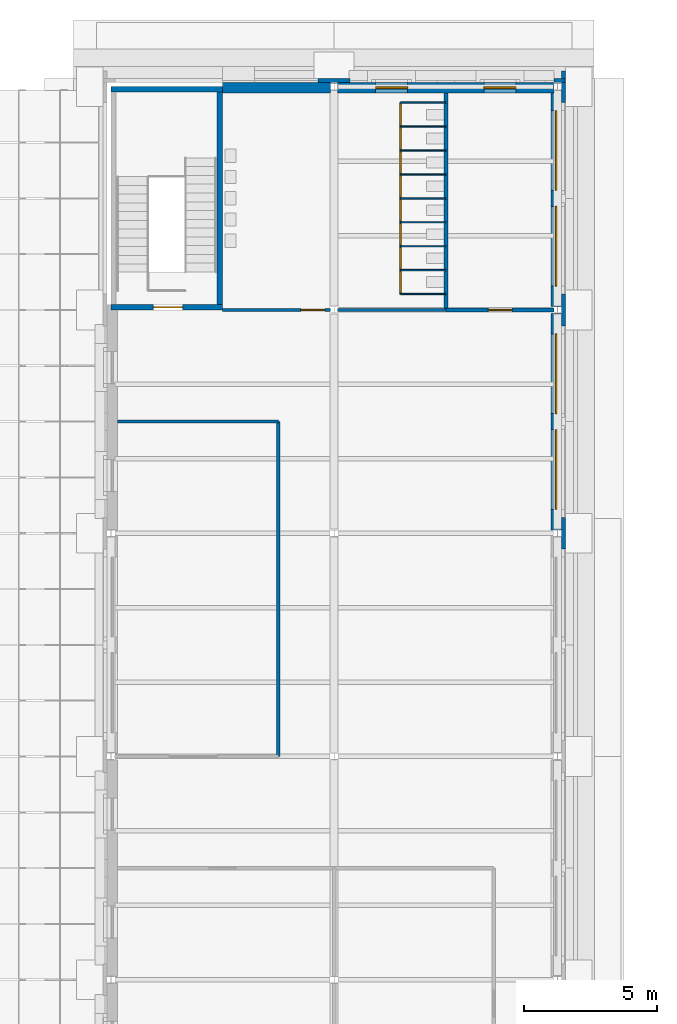
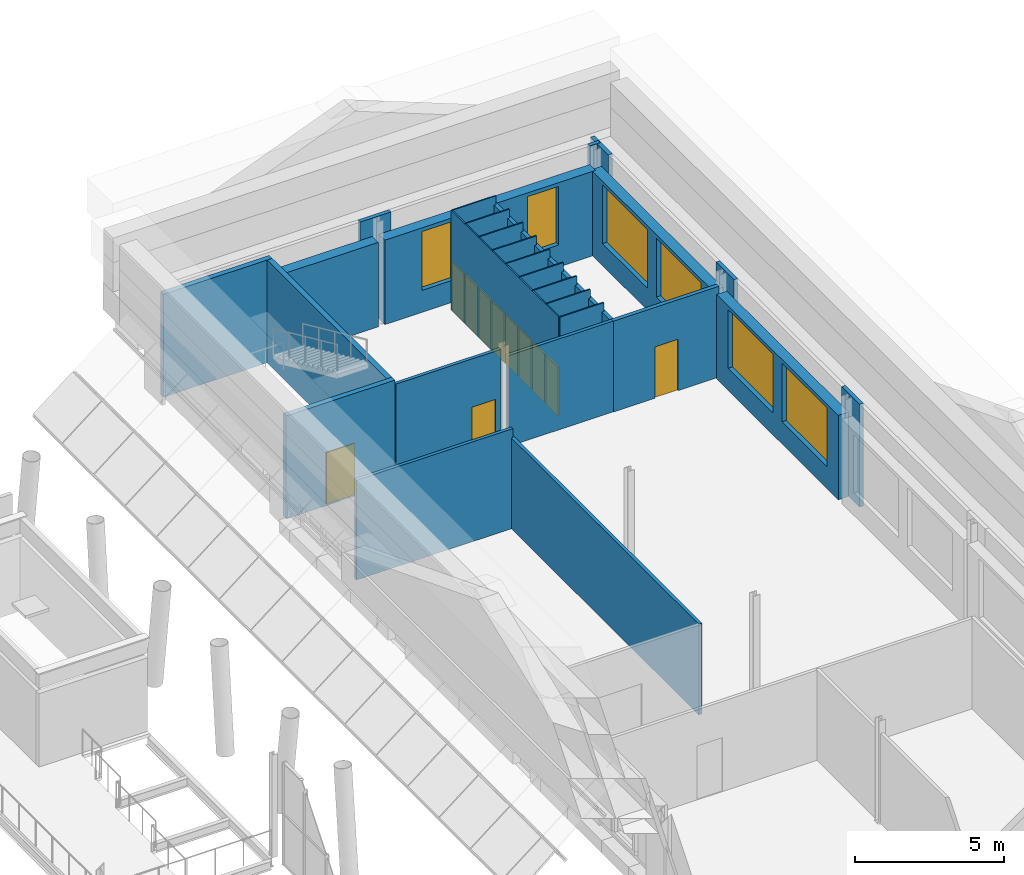
# One storey, part 47 of 76: 28 walls, 11 doors, 6 windows, 17 openings.
"""IFC4 building model written with IfcOpenShell, lengths in metres."""

from ifc_helpers import new_model, si_unit, direction, frame, frame_2d, origin, place, context, subcontext, project, spatial, rectangle, extrude, material, layer, layer_set, type_object, element, fill, save


model = new_model("IFC4")

# Units and contexts
model_context = context("Model", 3, precision=1e-05, world=origin(), true_north=direction((0.0, 1.0)))
body_context = subcontext(model_context, "Body", "Model", "MODEL_VIEW")
ifc_project = project(units=[si_unit("LENGTHUNIT", "METRE"), si_unit("AREAUNIT", "SQUARE_METRE"), si_unit("VOLUMEUNIT", "CUBIC_METRE"), si_unit("PLANEANGLEUNIT", "RADIAN"), si_unit("MASSUNIT", "GRAM", prefix="KILO")], contexts=[model_context])

# Site, building, storey
site_placement = place(None, origin())
site = spatial("IfcSite", under=ifc_project, at=site_placement, CompositionType="ELEMENT")
building_placement = place(site_placement, origin())
building = spatial("IfcBuilding", under=site, at=building_placement, Name="Sava Quay Ferry Terminal", CompositionType="ELEMENT")
storey_placement = place(building_placement, frame((0.0, 0.0, 10.800048828125)))
storey = spatial("IfcBuildingStorey", under=building, at=storey_placement, Name="L02", CompositionType="ELEMENT", Elevation=10.800048828125)

# Wall, openings, doors
ifc_material_1 = material(Name="High-pressure laminate panel")
ifc_layer_1 = layer(ifc_material_1, 0.050048828125)
ifc_layer_set_1 = layer_set([ifc_layer_1], Name="High-pressure laminate panel")
wall_type_1 = type_object("IfcWallType", Name="Cubicle partition 50", PredefinedType="PARTITIONING", material=ifc_layer_set_1)
wall_1_placement = place(storey_placement, frame((103.300048828125, 101.39990234375, 0.0), z_axis=(0.0, 0.0, 1.0), x_axis=(0.0, 1.0, 0.0)))
wall_1 = element("IfcWall", 1, at=wall_1_placement, inside=storey, type_object=wall_type_1, Name="Cubicle partition panel", PredefinedType="PARTITIONING", context=body_context, shape_type="SweptSolid", body=[
    extrude(rectangle(XDim=7.2001953125, YDim=0.050048828125, at=frame_2d((3.60009765625, 0.0))), origin(), (0.0, 0.0, 1.0), 4.070068359375),
])
opening_1_placement = place(wall_1_placement, frame((0.050048828125, 0.0, 0.0)))
opening_1 = element("IfcOpeningElement", 2, at=opening_1_placement, cuts=wall_1, Name="Opening CD081", PredefinedType="OPENING", context=body_context, shape_type="SweptSolid", body=[
    extrude(rectangle(XDim=0.800048828125, YDim=2.0, at=frame_2d((0.39990234375, 1.0))), frame((0.0, 0.02490234375, 0.0), z_axis=(0.0, -1.0, 0.0), x_axis=(1.0, 0.0, 0.0)), (0.0, 0.0, 1.0), 0.050048828125),
])
opening_2_placement = place(wall_1_placement, frame((0.949951171875, 0.0, 0.0)))
opening_2 = element("IfcOpeningElement", 3, at=opening_2_placement, cuts=wall_1, Name="Opening CD082", PredefinedType="OPENING", context=body_context, shape_type="SweptSolid", body=[
    extrude(rectangle(XDim=0.800048828125, YDim=2.0, at=frame_2d((0.39990234375, 1.0))), frame((0.0, 0.02490234375, 0.0), z_axis=(0.0, -1.0, 0.0), x_axis=(1.0, 0.0, 0.0)), (0.0, 0.0, 1.0), 0.050048828125),
])
opening_3_placement = place(wall_1_placement, frame((1.85009765625, 0.0, 0.0)))
opening_3 = element("IfcOpeningElement", 4, at=opening_3_placement, cuts=wall_1, Name="Opening CD083", PredefinedType="OPENING", context=body_context, shape_type="SweptSolid", body=[
    extrude(rectangle(XDim=0.800048828125, YDim=2.0, at=frame_2d((0.39990234375, 1.0))), frame((0.0, 0.02490234375, 0.0), z_axis=(0.0, -1.0, 0.0), x_axis=(1.0, 0.0, 0.0)), (0.0, 0.0, 1.0), 0.050048828125),
])
opening_4_placement = place(wall_1_placement, frame((2.75, 0.0, 0.0)))
opening_4 = element("IfcOpeningElement", 5, at=opening_4_placement, cuts=wall_1, Name="Opening CD084", PredefinedType="OPENING", context=body_context, shape_type="SweptSolid", body=[
    extrude(rectangle(XDim=0.800048828125, YDim=2.0, at=frame_2d((0.39990234375, 1.0))), frame((0.0, 0.02490234375, 0.0), z_axis=(0.0, -1.0, 0.0), x_axis=(1.0, 0.0, 0.0)), (0.0, 0.0, 1.0), 0.050048828125),
])
opening_5_placement = place(wall_1_placement, frame((3.64990234375, 0.0, 0.0)))
opening_5 = element("IfcOpeningElement", 6, at=opening_5_placement, cuts=wall_1, Name="Opening CD085", PredefinedType="OPENING", context=body_context, shape_type="SweptSolid", body=[
    extrude(rectangle(XDim=0.800048828125, YDim=2.0, at=frame_2d((0.39990234375, 1.0))), frame((0.0, 0.02490234375, 0.0), z_axis=(0.0, -1.0, 0.0), x_axis=(1.0, 0.0, 0.0)), (0.0, 0.0, 1.0), 0.050048828125),
])
opening_6_placement = place(wall_1_placement, frame((4.550048828125, 0.0, 0.0)))
opening_6 = element("IfcOpeningElement", 7, at=opening_6_placement, cuts=wall_1, Name="Opening CD086", PredefinedType="OPENING", context=body_context, shape_type="SweptSolid", body=[
    extrude(rectangle(XDim=0.800048828125, YDim=2.0, at=frame_2d((0.39990234375, 1.0))), frame((0.0, 0.02490234375, 0.0), z_axis=(0.0, -1.0, 0.0), x_axis=(1.0, 0.0, 0.0)), (0.0, 0.0, 1.0), 0.050048828125),
])
opening_7_placement = place(wall_1_placement, frame((5.449951171875, 0.0, 0.0)))
opening_7 = element("IfcOpeningElement", 8, at=opening_7_placement, cuts=wall_1, Name="Opening CD087", PredefinedType="OPENING", context=body_context, shape_type="SweptSolid", body=[
    extrude(rectangle(XDim=0.800048828125, YDim=2.0, at=frame_2d((0.39990234375, 1.0))), frame((0.0, 0.02490234375, 0.0), z_axis=(0.0, -1.0, 0.0), x_axis=(1.0, 0.0, 0.0)), (0.0, 0.0, 1.0), 0.050048828125),
])
opening_8_placement = place(wall_1_placement, frame((6.35009765625, 0.0, 0.0)))
opening_8 = element("IfcOpeningElement", 9, at=opening_8_placement, cuts=wall_1, Name="Opening CD088", PredefinedType="OPENING", context=body_context, shape_type="SweptSolid", body=[
    extrude(rectangle(XDim=0.800048828125, YDim=2.0, at=frame_2d((0.39990234375, 1.0))), frame((0.0, 0.02490234375, 0.0), z_axis=(0.0, -1.0, 0.0), x_axis=(1.0, 0.0, 0.0)), (0.0, 0.0, 1.0), 0.050048828125),
])
ifc_material_2 = material(Name="Laminate door set")
door_type_1 = type_object("IfcDoorType", Name="Cubicle door 800 x 2000", OperationType="NOTDEFINED", PredefinedType="DOOR", material=ifc_material_2)
door_1_placement = place(opening_1_placement, origin())
door_1 = element("IfcDoor", 10, at=door_1_placement, inside=storey, type_object=door_type_1, Name="Cubicle door", OperationType="SINGLE_SWING_RIGHT", OverallHeight=2.0, OverallWidth=0.800048828125, PredefinedType="DOOR", context=body_context, shape_type="SweptSolid", body=[
    extrude(rectangle(XDim=0.800048828125, YDim=2.0, at=frame_2d((0.39990234375, 1.0))), frame((0.0, 0.02490234375, 0.0), z_axis=(0.0, -1.0, 0.0), x_axis=(1.0, 0.0, 0.0)), (0.0, 0.0, 1.0), 0.049560546875),
])
fill(opening_1, door_1)
door_2_placement = place(opening_2_placement, origin())
door_2 = element("IfcDoor", 11, at=door_2_placement, inside=storey, type_object=door_type_1, Name="Cubicle door", OperationType="SINGLE_SWING_LEFT", OverallHeight=2.0, OverallWidth=0.800048828125, PredefinedType="DOOR", context=body_context, shape_type="SweptSolid", body=[
    extrude(rectangle(XDim=0.800048828125, YDim=2.0, at=frame_2d((0.39990234375, 1.0))), frame((0.0, 0.02490234375, 0.0), z_axis=(0.0, -1.0, 0.0), x_axis=(1.0, 0.0, 0.0)), (0.0, 0.0, 1.0), 0.049560546875),
])
fill(opening_2, door_2)
door_3_placement = place(opening_3_placement, origin())
door_3 = element("IfcDoor", 12, at=door_3_placement, inside=storey, type_object=door_type_1, Name="Cubicle door", OperationType="SINGLE_SWING_RIGHT", OverallHeight=2.0, OverallWidth=0.800048828125, PredefinedType="DOOR", context=body_context, shape_type="SweptSolid", body=[
    extrude(rectangle(XDim=0.800048828125, YDim=2.0, at=frame_2d((0.39990234375, 1.0))), frame((0.0, 0.02490234375, 0.0), z_axis=(0.0, -1.0, 0.0), x_axis=(1.0, 0.0, 0.0)), (0.0, 0.0, 1.0), 0.049560546875),
])
fill(opening_3, door_3)
door_4_placement = place(opening_4_placement, origin())
door_4 = element("IfcDoor", 13, at=door_4_placement, inside=storey, type_object=door_type_1, Name="Cubicle door", OperationType="SINGLE_SWING_LEFT", OverallHeight=2.0, OverallWidth=0.800048828125, PredefinedType="DOOR", context=body_context, shape_type="SweptSolid", body=[
    extrude(rectangle(XDim=0.800048828125, YDim=2.0, at=frame_2d((0.39990234375, 1.0))), frame((0.0, 0.02490234375, 0.0), z_axis=(0.0, -1.0, 0.0), x_axis=(1.0, 0.0, 0.0)), (0.0, 0.0, 1.0), 0.049560546875),
])
fill(opening_4, door_4)
door_5_placement = place(opening_5_placement, origin())
door_5 = element("IfcDoor", 14, at=door_5_placement, inside=storey, type_object=door_type_1, Name="Cubicle door", OperationType="SINGLE_SWING_RIGHT", OverallHeight=2.0, OverallWidth=0.800048828125, PredefinedType="DOOR", context=body_context, shape_type="SweptSolid", body=[
    extrude(rectangle(XDim=0.800048828125, YDim=2.0, at=frame_2d((0.39990234375, 1.0))), frame((0.0, 0.02490234375, 0.0), z_axis=(0.0, -1.0, 0.0), x_axis=(1.0, 0.0, 0.0)), (0.0, 0.0, 1.0), 0.049560546875),
])
fill(opening_5, door_5)
door_6_placement = place(opening_6_placement, origin())
door_6 = element("IfcDoor", 15, at=door_6_placement, inside=storey, type_object=door_type_1, Name="Cubicle door", OperationType="SINGLE_SWING_LEFT", OverallHeight=2.0, OverallWidth=0.800048828125, PredefinedType="DOOR", context=body_context, shape_type="SweptSolid", body=[
    extrude(rectangle(XDim=0.800048828125, YDim=2.0, at=frame_2d((0.39990234375, 1.0))), frame((0.0, 0.02490234375, 0.0), z_axis=(0.0, -1.0, 0.0), x_axis=(1.0, 0.0, 0.0)), (0.0, 0.0, 1.0), 0.049560546875),
])
fill(opening_6, door_6)
door_7_placement = place(opening_7_placement, origin())
door_7 = element("IfcDoor", 16, at=door_7_placement, inside=storey, type_object=door_type_1, Name="Cubicle door", OperationType="SINGLE_SWING_RIGHT", OverallHeight=2.0, OverallWidth=0.800048828125, PredefinedType="DOOR", context=body_context, shape_type="SweptSolid", body=[
    extrude(rectangle(XDim=0.800048828125, YDim=2.0, at=frame_2d((0.39990234375, 1.0))), frame((0.0, 0.02490234375, 0.0), z_axis=(0.0, -1.0, 0.0), x_axis=(1.0, 0.0, 0.0)), (0.0, 0.0, 1.0), 0.049560546875),
])
fill(opening_7, door_7)
door_8_placement = place(opening_8_placement, origin())
door_8 = element("IfcDoor", 17, at=door_8_placement, inside=storey, type_object=door_type_1, Name="Cubicle door", OperationType="SINGLE_SWING_LEFT", OverallHeight=2.0, OverallWidth=0.800048828125, PredefinedType="DOOR", context=body_context, shape_type="SweptSolid", body=[
    extrude(rectangle(XDim=0.800048828125, YDim=2.0, at=frame_2d((0.39990234375, 1.0))), frame((0.0, 0.02490234375, 0.0), z_axis=(0.0, -1.0, 0.0), x_axis=(1.0, 0.0, 0.0)), (0.0, 0.0, 1.0), 0.049560546875),
])
fill(opening_8, door_8)

# Walls
for number, where, z_axis, x_axis, name in (
    (18, (105.0, 101.39990234375, 0.0), (0.0, 0.0, 1.0), (-1.0, 0.0, 0.0), "Cubicle partition panel"),
    (19, (105.0, 102.300048828125, 0.0), (0.0, 0.0, 1.0), (-1.0, 0.0, 0.0), "Cubicle partition panel"),
    (20, (105.0, 103.199951171875, 0.0), (0.0, 0.0, 1.0), (-1.0, 0.0, 0.0), "Cubicle partition panel"),
    (21, (105.0, 104.10009765625, 0.0), (0.0, 0.0, 1.0), (-1.0, 0.0, 0.0), "Cubicle partition panel"),
    (22, (105.0, 105.0, 0.0), (0.0, 0.0, 1.0), (-1.0, 0.0, 0.0), "Cubicle partition panel"),
    (23, (105.0, 105.89990234375, 0.0), (0.0, 0.0, 1.0), (-1.0, 0.0, 0.0), "Cubicle partition panel"),
    (24, (105.0, 106.800048828125, 0.0), (0.0, 0.0, 1.0), (-1.0, 0.0, 0.0), "Cubicle partition panel"),
    (25, (105.0, 107.699951171875, 0.0), (0.0, 0.0, 1.0), (-1.0, 0.0, 0.0), "Cubicle partition panel"),
    (26, (105.0, 108.60009765625, 0.0), (0.0, 0.0, 1.0), (-1.0, 0.0, 0.0), "Cubicle partition panel"),
):
    element("IfcWall", number, at=place(storey_placement, frame(where, z_axis=z_axis, x_axis=x_axis)), inside=storey, type_object=wall_type_1, Name=name, PredefinedType="PARTITIONING", context=body_context, shape_type="SweptSolid", body=[
        extrude(rectangle(XDim=1.699951171875, YDim=0.050048828125, at=frame_2d((0.85009765625, 0.0))), origin(), (0.0, 0.0, 1.0), 4.070068359375),
    ])
ifc_material_3 = material(Name="Limestone Mutalj", Category="masonry")
ifc_layer_2 = layer(ifc_material_3, 0.14990234375)
ifc_layer_set_2 = layer_set([ifc_layer_2], Name="Limestone Mutalj")
wall_type_2 = type_object("IfcWallType", Name="Pier cladding 150", PredefinedType="SOLIDWALL", material=ifc_layer_set_2)
wall_2_placement = place(storey_placement, frame((100.199951171875, 109.43505859375, 0.0), z_axis=(0.0, 0.0, 1.0), x_axis=(1.0, 0.0, 0.0)))
element("IfcWall", 27, at=wall_2_placement, inside=storey, type_object=wall_type_2, Name="Pier O-N grid 100.8", PredefinedType="SOLIDWALL", context=body_context, shape_type="SweptSolid", body=[
    extrude(rectangle(XDim=1.199951171875, YDim=0.14990234375, at=frame_2d((0.60009765625, 0.0))), origin(), (0.0, 0.0, 1.0), 4.199951171875),
])
wall_3_placement = place(storey_placement, frame((109.070068359375, 109.43505859375, 0.0), z_axis=(0.0, 0.0, 1.0), x_axis=(1.0, 0.0, 0.0)))
element("IfcWall", 28, at=wall_3_placement, inside=storey, type_object=wall_type_2, Name="Pier O-N grid 109.2", PredefinedType="SOLIDWALL", context=body_context, shape_type="SweptSolid", body=[
    extrude(rectangle(XDim=0.409912109375, YDim=0.14990234375, at=frame_2d((0.205078125, 0.0))), origin(), (0.0, 0.0, 1.0), 4.199951171875),
])
for number, where, z_axis, x_axis, name in (
    (29, (109.425048828125, 91.800048828125, 0.0), (0.0, 0.0, 1.0), (0.0, 1.0, 0.0), "Pier O-E grid 92.4"),
    (30, (109.425048828125, 100.199951171875, 0.0), (0.0, 0.0, 1.0), (0.0, 1.0, 0.0), "Pier O-E grid 100.8"),
    (31, (109.425048828125, 108.60009765625, 0.0), (0.0, 0.0, 1.0), (0.0, 1.0, 0.0), "Pier O-E grid 109.2"),
):
    element("IfcWall", number, at=place(storey_placement, frame(where, z_axis=z_axis, x_axis=x_axis)), inside=storey, type_object=wall_type_2, Name=name, PredefinedType="SOLIDWALL", context=body_context, shape_type="SweptSolid", body=[
        extrude(rectangle(XDim=1.199951171875, YDim=0.14990234375, at=frame_2d((0.60009765625, 0.0))), origin(), (0.0, 0.0, 1.0), 4.199951171875),
    ])

# Wall, opening, door
ifc_material_4 = material(Name="Masonry blockwork", Category="masonry")
ifc_layer_3 = layer(ifc_material_4, 0.14990234375)
ifc_layer_set_3 = layer_set([ifc_layer_3], Name="Masonry blockwork")
wall_type_3 = type_object("IfcWallType", Name="Plant, store and lobby wall, blockwork 150", PredefinedType="PARTITIONING", material=ifc_layer_set_3)
wall_4_placement = place(storey_placement, frame((105.0, 100.800048828125, 0.0), z_axis=(0.0, 0.0, 1.0), x_axis=(1.0, 0.0, 0.0)))
wall_4 = element("IfcWall", 32, at=wall_4_placement, inside=storey, type_object=wall_type_3, Name="Plant, store and lobby wall, blockwork 150", PredefinedType="PARTITIONING", context=body_context, shape_type="SweptSolid", body=[
    extrude(rectangle(XDim=4.070068359375, YDim=0.14990234375, at=frame_2d((2.03515625, 0.0))), origin(), (0.0, 0.0, 1.0), 3.7099609375),
])
opening_9_placement = place(wall_4_placement, frame((1.60009765625, 0.0, 0.0)))
opening_9 = element("IfcOpeningElement", 33, at=opening_9_placement, cuts=wall_4, Name="Opening D0223", PredefinedType="OPENING", context=body_context, shape_type="SweptSolid", body=[
    extrude(rectangle(XDim=0.89990234375, YDim=2.10009765625, at=frame_2d((0.449951171875, 1.050048828125))), frame((0.0, 0.074951171875, 0.0), z_axis=(0.0, -1.0, 0.0), x_axis=(1.0, 0.0, 0.0)), (0.0, 0.0, 1.0), 0.14990234375),
])
ifc_material_5 = material(Name="Timber door set", Category="wood")
door_type_2 = type_object("IfcDoorType", Name="Single door 900 x 2100", OperationType="NOTDEFINED", PredefinedType="DOOR", material=ifc_material_5)
door_9_placement = place(opening_9_placement, origin())
door_9 = element("IfcDoor", 34, at=door_9_placement, inside=storey, type_object=door_type_2, Name="Door D0223", OperationType="SINGLE_SWING_LEFT", OverallHeight=2.10009765625, OverallWidth=0.89990234375, PredefinedType="DOOR", context=body_context, shape_type="SweptSolid", body=[
    extrude(rectangle(XDim=0.89990234375, YDim=2.10009765625, at=frame_2d((0.449951171875, 1.050048828125))), frame((0.0, 0.02490234375, 0.0), z_axis=(0.0, -1.0, 0.0), x_axis=(1.0, 0.0, 0.0)), (0.0, 0.0, 1.0), 0.050048828125),
])
fill(opening_9, door_9)

# Wall
wall_5_placement = place(storey_placement, frame((105.0, 100.800048828125, 0.0), z_axis=(0.0, 0.0, 1.0), x_axis=(0.0, 1.0, 0.0)))
element("IfcWall", 35, at=wall_5_placement, inside=storey, type_object=wall_type_3, Name="Plant, store and lobby wall, blockwork 150", PredefinedType="PARTITIONING", context=body_context, shape_type="SweptSolid", body=[
    extrude(rectangle(XDim=8.159423828125, YDim=0.14990234375, at=frame_2d((4.07958984375, 0.0))), origin(), (0.0, 0.0, 1.0), 3.7099609375),
])

# Wall, opening, door
ifc_material_6 = material(Name="Concrete C35/45", Category="concrete")
ifc_layer_4 = layer(ifc_material_6, 0.199951171875)
ifc_layer_set_4 = layer_set([ifc_layer_4], Name="Concrete C35/45")
wall_type_4 = type_object("IfcWallType", Name="RC core wall 200", PredefinedType="SHEAR", material=ifc_layer_set_4)
wall_6_placement = place(storey_placement, frame((92.39990234375, 100.89990234375, 0.0), z_axis=(0.0, 0.0, 1.0), x_axis=(1.0, 0.0, 0.0)))
wall_6 = element("IfcWall", 36, at=wall_6_placement, inside=storey, type_object=wall_type_4, Name="Core wall ST-O3 S L02", PredefinedType="SHEAR", context=body_context, shape_type="SweptSolid", body=[
    extrude(rectangle(XDim=4.2001953125, YDim=0.199951171875, at=frame_2d((2.10009765625, 0.0))), origin(), (0.0, 0.0, 1.0), 4.199951171875),
])
opening_10_placement = place(wall_6_placement, frame((1.60009765625, 0.0, 0.0)))
opening_10 = element("IfcOpeningElement", 37, at=opening_10_placement, cuts=wall_6, Name="Opening DS0211", PredefinedType="OPENING", context=body_context, shape_type="SweptSolid", body=[
    extrude(rectangle(XDim=1.10009765625, YDim=2.10009765625, at=frame_2d((0.550048828125, 1.050048828125))), frame((0.0, 0.10009765625, 0.0), z_axis=(0.0, -1.0, 0.0), x_axis=(1.0, 0.0, 0.0)), (0.0, 0.0, 1.0), 0.199951171875),
])
ifc_material_7 = material(Name="Steel fire door set", Category="steel")
door_type_3 = type_object("IfcDoorType", Name="Stair fire door 1100 x 2100", OperationType="NOTDEFINED", PredefinedType="DOOR", material=ifc_material_7)
door_10_placement = place(opening_10_placement, origin())
door_10 = element("IfcDoor", 38, at=door_10_placement, inside=storey, type_object=door_type_3, Name="Door DS0211", OperationType="SINGLE_SWING_RIGHT", OverallHeight=2.10009765625, OverallWidth=1.10009765625, PredefinedType="DOOR", context=body_context, shape_type="SweptSolid", body=[
    extrude(rectangle(XDim=1.10009765625, YDim=2.10009765625, at=frame_2d((0.550048828125, 1.050048828125))), frame((0.0, 0.02490234375, 0.0), z_axis=(0.0, -1.0, 0.0), x_axis=(1.0, 0.0, 0.0)), (0.0, 0.0, 1.0), 0.050048828125),
])
fill(opening_10, door_10)

# Walls
wall_7_placement = place(storey_placement, frame((92.39990234375, 109.10009765625, 0.0), z_axis=(0.0, 0.0, 1.0), x_axis=(1.0, 0.0, 0.0)))
element("IfcWall", 39, at=wall_7_placement, inside=storey, type_object=wall_type_4, Name="Core wall ST-O3 N L02", PredefinedType="SHEAR", context=body_context, shape_type="SweptSolid", body=[
    extrude(rectangle(XDim=4.2001953125, YDim=0.199951171875, at=frame_2d((2.10009765625, 0.0))), origin(), (0.0, 0.0, 1.0), 4.199951171875),
])
wall_8_placement = place(storey_placement, frame((96.5, 101.0, 0.0), z_axis=(0.0, 0.0, 1.0), x_axis=(0.0, 1.0, 0.0)))
element("IfcWall", 40, at=wall_8_placement, inside=storey, type_object=wall_type_4, Name="Core wall ST-O3 E L02", PredefinedType="SHEAR", context=body_context, shape_type="SweptSolid", body=[
    extrude(rectangle(XDim=8.0, YDim=0.199951171875, at=frame_2d((4.0, 0.0))), origin(), (0.0, 0.0, 1.0), 4.199951171875),
])
ifc_material_8 = material(Name="Plasterboard on steel studs", Category="steel")
ifc_layer_5 = layer(ifc_material_8, 0.125)
ifc_layer_set_5 = layer_set([ifc_layer_5], Name="Plasterboard on steel studs")
wall_type_5 = type_object("IfcWallType", Name="Room partition, plasterboard on steel studs 125", PredefinedType="PARTITIONING", material=ifc_layer_set_5)
wall_9_placement = place(storey_placement, frame((92.650390625, 96.60009765625, 0.0), z_axis=(0.0, 0.0, 1.0), x_axis=(1.0, 0.0, 0.0)))
element("IfcWall", 41, at=wall_9_placement, inside=storey, type_object=wall_type_5, Name="Room partition, plasterboard on steel studs 125", PredefinedType="PARTITIONING", context=body_context, shape_type="SweptSolid", body=[
    extrude(rectangle(XDim=6.049560546875, YDim=0.125, at=frame_2d((3.02490234375, 0.0))), origin(), (0.0, 0.0, 1.0), 4.070068359375),
])
wall_10_placement = place(storey_placement, frame((98.699951171875, 84.0, 0.0), z_axis=(0.0, 0.0, 1.0), x_axis=(0.0, 1.0, 0.0)))
element("IfcWall", 42, at=wall_10_placement, inside=storey, type_object=wall_type_5, Name="Room partition, plasterboard on steel studs 125", PredefinedType="PARTITIONING", context=body_context, shape_type="SweptSolid", body=[
    extrude(rectangle(XDim=12.60009765625, YDim=0.125, at=frame_2d((6.300048828125, 0.0))), origin(), (0.0, 0.0, 1.0), 3.7099609375),
])
ifc_material_9 = material(Name="Sandstone Bela Voda", Category="masonry")
ifc_layer_6 = layer(ifc_material_9, 0.39990234375)
ifc_layer_set_6 = layer_set([ifc_layer_6], Name="Sandstone Bela Voda")
wall_type_6 = type_object("IfcWallType", Name="Sandstone ashlar infill 400", PredefinedType="SOLIDWALL", material=ifc_layer_set_6)
wall_11_placement = place(storey_placement, frame((96.60009765625, 109.159912109375, 0.0), z_axis=(0.0, 0.0, 1.0), x_axis=(1.0, 0.0, 0.0)))
element("IfcWall", 43, at=wall_11_placement, inside=storey, type_object=wall_type_6, Name="External wall O-N", PredefinedType="SOLIDWALL", context=body_context, shape_type="SweptSolid", body=[
    extrude(rectangle(XDim=4.06982421875, YDim=0.39990234375, at=frame_2d((2.034912109375, 0.0))), origin(), (0.0, 0.0, 1.0), 3.449951171875),
])

# Wall, openings, windows
wall_12_placement = place(storey_placement, frame((100.929931640625, 109.159912109375, 0.0), z_axis=(0.0, 0.0, 1.0), x_axis=(1.0, 0.0, 0.0)))
wall_12 = element("IfcWall", 44, at=wall_12_placement, inside=storey, type_object=wall_type_6, Name="External wall O-N", PredefinedType="SOLIDWALL", context=body_context, shape_type="SweptSolid", body=[
    extrude(rectangle(XDim=8.14013671875, YDim=0.39990234375, at=frame_2d((4.070068359375, 0.0))), origin(), (0.0, 0.0, 1.0), 3.449951171875),
])
opening_11_placement = place(wall_12_placement, frame((1.4326171875, 0.0, 0.89990234375)))
opening_11 = element("IfcOpeningElement", 45, at=opening_11_placement, cuts=wall_12, Name="Opening W-E2", PredefinedType="OPENING", context=body_context, shape_type="SweptSolid", body=[
    extrude(rectangle(XDim=1.199951171875, YDim=2.39990234375, at=frame_2d((0.60009765625, 1.199951171875))), frame((0.0, 0.199951171875, 0.0), z_axis=(0.0, -1.0, 0.0), x_axis=(1.0, 0.0, 0.0)), (0.0, 0.0, 1.0), 0.39990234375),
])
opening_12_placement = place(wall_12_placement, frame((5.507568359375, 0.0, 0.89990234375)))
opening_12 = element("IfcOpeningElement", 46, at=opening_12_placement, cuts=wall_12, Name="Opening W-E2", PredefinedType="OPENING", context=body_context, shape_type="SweptSolid", body=[
    extrude(rectangle(XDim=1.199951171875, YDim=2.39990234375, at=frame_2d((0.60009765625, 1.199951171875))), frame((0.0, 0.199951171875, 0.0), z_axis=(0.0, -1.0, 0.0), x_axis=(1.0, 0.0, 0.0)), (0.0, 0.0, 1.0), 0.39990234375),
])
ifc_material_10 = material(Name="Aluminium bronze anodised frame, glazing double low-e Ug 1.1", Category="aluminium")
window_type_1 = type_object("IfcWindowType", Name="Upper sidelight 1200x2400", PartitioningType="SINGLE_PANEL", PredefinedType="WINDOW", material=ifc_material_10)
window_1_placement = place(opening_11_placement, origin())
window_1 = element("IfcWindow", 47, at=window_1_placement, inside=storey, type_object=window_type_1, Name="Window W-E2", OverallHeight=2.39990234375, OverallWidth=1.199951171875, PartitioningType="SINGLE_PANEL", PredefinedType="WINDOW", context=body_context, shape_type="SweptSolid", body=[
    extrude(rectangle(XDim=1.199951171875, YDim=2.39990234375, at=frame_2d((0.60009765625, 1.199951171875))), frame((0.0, 0.030029296875, 0.0), z_axis=(0.0, -1.0, 0.0), x_axis=(1.0, 0.0, 0.0)), (0.0, 0.0, 1.0), 0.06005859375),
])
fill(opening_11, window_1)
window_2_placement = place(opening_12_placement, origin())
window_2 = element("IfcWindow", 48, at=window_2_placement, inside=storey, type_object=window_type_1, Name="Window W-E2", OverallHeight=2.39990234375, OverallWidth=1.199951171875, PartitioningType="SINGLE_PANEL", PredefinedType="WINDOW", context=body_context, shape_type="SweptSolid", body=[
    extrude(rectangle(XDim=1.199951171875, YDim=2.39990234375, at=frame_2d((0.60009765625, 1.199951171875))), frame((0.0, 0.030029296875, 0.0), z_axis=(0.0, -1.0, 0.0), x_axis=(1.0, 0.0, 0.0)), (0.0, 0.0, 1.0), 0.06005859375),
])
fill(opening_12, window_2)

wall_13_placement = place(storey_placement, frame((109.14990234375, 92.530029296875, 0.0), z_axis=(0.0, 0.0, 1.0), x_axis=(0.0, 1.0, 0.0)))
wall_13 = element("IfcWall", 49, at=wall_13_placement, inside=storey, type_object=wall_type_6, Name="External wall O-E", PredefinedType="SOLIDWALL", context=body_context, shape_type="SweptSolid", body=[
    extrude(rectangle(XDim=8.139892578125, YDim=0.39990234375, at=frame_2d((4.06982421875, 0.0))), origin(), (0.0, 0.0, 1.0), 3.449951171875),
])
opening_13_placement = place(wall_13_placement, frame((0.77001953125, 0.0, 0.89990234375)))
opening_13 = element("IfcOpeningElement", 50, at=opening_13_placement, cuts=wall_13, Name="Opening W-C", PredefinedType="OPENING", context=body_context, shape_type="SweptSolid", body=[
    extrude(rectangle(XDim=3.0, YDim=2.39990234375, at=frame_2d((1.5, 1.199951171875))), frame((0.0, 0.199951171875, 0.0), z_axis=(0.0, -1.0, 0.0), x_axis=(1.0, 0.0, 0.0)), (0.0, 0.0, 1.0), 0.39990234375),
])
opening_14_placement = place(wall_13_placement, frame((4.3701171875, 0.0, 0.89990234375)))
opening_14 = element("IfcOpeningElement", 51, at=opening_14_placement, cuts=wall_13, Name="Opening W-C", PredefinedType="OPENING", context=body_context, shape_type="SweptSolid", body=[
    extrude(rectangle(XDim=3.0, YDim=2.39990234375, at=frame_2d((1.5, 1.199951171875))), frame((0.0, 0.199951171875, 0.0), z_axis=(0.0, -1.0, 0.0), x_axis=(1.0, 0.0, 0.0)), (0.0, 0.0, 1.0), 0.39990234375),
])
ifc_material_11 = material(Name="Aluminium bronze anodised frame, glazing double low-e Ug 1.1", Category="aluminium")
window_type_2 = type_object("IfcWindowType", Name="Attic-storey window 3000x2400", PartitioningType="SINGLE_PANEL", PredefinedType="WINDOW", material=ifc_material_11)
window_3_placement = place(opening_13_placement, origin())
window_3 = element("IfcWindow", 52, at=window_3_placement, inside=storey, type_object=window_type_2, Name="Window W-C", OverallHeight=2.39990234375, OverallWidth=3.0, PartitioningType="SINGLE_PANEL", PredefinedType="WINDOW", context=body_context, shape_type="SweptSolid", body=[
    extrude(rectangle(XDim=3.0, YDim=2.39990234375, at=frame_2d((1.5, 1.199951171875))), frame((0.0, 0.030029296875, 0.0), z_axis=(0.0, -1.0, 0.0), x_axis=(1.0, 0.0, 0.0)), (0.0, 0.0, 1.0), 0.06005859375),
])
fill(opening_13, window_3)
window_4_placement = place(opening_14_placement, origin())
window_4 = element("IfcWindow", 53, at=window_4_placement, inside=storey, type_object=window_type_2, Name="Window W-C", OverallHeight=2.39990234375, OverallWidth=3.0, PartitioningType="SINGLE_PANEL", PredefinedType="WINDOW", context=body_context, shape_type="SweptSolid", body=[
    extrude(rectangle(XDim=3.0, YDim=2.39990234375, at=frame_2d((1.5, 1.199951171875))), frame((0.0, 0.030029296875, 0.0), z_axis=(0.0, -1.0, 0.0), x_axis=(1.0, 0.0, 0.0)), (0.0, 0.0, 1.0), 0.06005859375),
])
fill(opening_14, window_4)

wall_14_placement = place(storey_placement, frame((109.14990234375, 100.929931640625, 0.0), z_axis=(0.0, 0.0, 1.0), x_axis=(0.0, 1.0, 0.0)))
wall_14 = element("IfcWall", 54, at=wall_14_placement, inside=storey, type_object=wall_type_6, Name="External wall O-E", PredefinedType="SOLIDWALL", context=body_context, shape_type="SweptSolid", body=[
    extrude(rectangle(XDim=8.14013671875, YDim=0.39990234375, at=frame_2d((4.070068359375, 0.0))), origin(), (0.0, 0.0, 1.0), 3.449951171875),
])
opening_15_placement = place(wall_14_placement, frame((0.77001953125, 0.0, 0.89990234375)))
opening_15 = element("IfcOpeningElement", 55, at=opening_15_placement, cuts=wall_14, Name="Opening W-C", PredefinedType="OPENING", context=body_context, shape_type="SweptSolid", body=[
    extrude(rectangle(XDim=3.0, YDim=2.39990234375, at=frame_2d((1.5, 1.199951171875))), frame((0.0, 0.199951171875, 0.0), z_axis=(0.0, -1.0, 0.0), x_axis=(1.0, 0.0, 0.0)), (0.0, 0.0, 1.0), 0.39990234375),
])
opening_16_placement = place(wall_14_placement, frame((4.3701171875, 0.0, 0.89990234375)))
opening_16 = element("IfcOpeningElement", 56, at=opening_16_placement, cuts=wall_14, Name="Opening W-C", PredefinedType="OPENING", context=body_context, shape_type="SweptSolid", body=[
    extrude(rectangle(XDim=3.0, YDim=2.39990234375, at=frame_2d((1.5, 1.199951171875))), frame((0.0, 0.199951171875, 0.0), z_axis=(0.0, -1.0, 0.0), x_axis=(1.0, 0.0, 0.0)), (0.0, 0.0, 1.0), 0.39990234375),
])
window_5_placement = place(opening_15_placement, origin())
window_5 = element("IfcWindow", 57, at=window_5_placement, inside=storey, type_object=window_type_2, Name="Window W-C", OverallHeight=2.39990234375, OverallWidth=3.0, PartitioningType="SINGLE_PANEL", PredefinedType="WINDOW", context=body_context, shape_type="SweptSolid", body=[
    extrude(rectangle(XDim=3.0, YDim=2.39990234375, at=frame_2d((1.5, 1.199951171875))), frame((0.0, 0.030029296875, 0.0), z_axis=(0.0, -1.0, 0.0), x_axis=(1.0, 0.0, 0.0)), (0.0, 0.0, 1.0), 0.06005859375),
])
fill(opening_15, window_5)
window_6_placement = place(opening_16_placement, origin())
window_6 = element("IfcWindow", 58, at=window_6_placement, inside=storey, type_object=window_type_2, Name="Window W-C", OverallHeight=2.39990234375, OverallWidth=3.0, PartitioningType="SINGLE_PANEL", PredefinedType="WINDOW", context=body_context, shape_type="SweptSolid", body=[
    extrude(rectangle(XDim=3.0, YDim=2.39990234375, at=frame_2d((1.5, 1.199951171875))), frame((0.0, 0.030029296875, 0.0), z_axis=(0.0, -1.0, 0.0), x_axis=(1.0, 0.0, 0.0)), (0.0, 0.0, 1.0), 0.06005859375),
])
fill(opening_16, window_6)

# Wall, opening, door
ifc_material_12 = material(Name="Moisture-resistant board on steel studs", Category="steel")
ifc_layer_7 = layer(ifc_material_12, 0.125)
ifc_layer_set_7 = layer_set([ifc_layer_7], Name="Moisture-resistant board on steel studs")
wall_type_7 = type_object("IfcWallType", Name="Toilet partition, moisture-resistant board 125", PredefinedType="PARTITIONING", material=ifc_layer_set_7)
wall_15_placement = place(storey_placement, frame((96.60009765625, 100.800048828125, 0.0), z_axis=(0.0, 0.0, 1.0), x_axis=(1.0, 0.0, 0.0)))
wall_15 = element("IfcWall", 59, at=wall_15_placement, inside=storey, type_object=wall_type_7, Name="Toilet partition, moisture-resistant board 125", PredefinedType="PARTITIONING", context=body_context, shape_type="SweptSolid", body=[
    extrude(rectangle(XDim=4.06982421875, YDim=0.125, at=frame_2d((2.034912109375, 0.0))), origin(), (0.0, 0.0, 1.0), 4.070068359375),
])
opening_17_placement = place(wall_15_placement, frame((2.949951171875, 0.0, 0.0)))
opening_17 = element("IfcOpeningElement", 60, at=opening_17_placement, cuts=wall_15, Name="Opening D0222", PredefinedType="OPENING", context=body_context, shape_type="SweptSolid", body=[
    extrude(rectangle(XDim=0.89990234375, YDim=2.10009765625, at=frame_2d((0.449951171875, 1.050048828125))), frame((0.0, 0.0625, 0.0), z_axis=(0.0, -1.0, 0.0), x_axis=(1.0, 0.0, 0.0)), (0.0, 0.0, 1.0), 0.125),
])
ifc_material_13 = material(Name="Laminate door set")
door_type_4 = type_object("IfcDoorType", Name="Toilet door 900 x 2100", OperationType="NOTDEFINED", PredefinedType="DOOR", material=ifc_material_13)
door_11_placement = place(opening_17_placement, origin())
door_11 = element("IfcDoor", 61, at=door_11_placement, inside=storey, type_object=door_type_4, Name="Door D0222", OperationType="SINGLE_SWING_LEFT", OverallHeight=2.10009765625, OverallWidth=0.89990234375, PredefinedType="DOOR", context=body_context, shape_type="SweptSolid", body=[
    extrude(rectangle(XDim=0.89990234375, YDim=2.10009765625, at=frame_2d((0.449951171875, 1.050048828125))), frame((0.0, 0.02490234375, 0.0), z_axis=(0.0, -1.0, 0.0), x_axis=(1.0, 0.0, 0.0)), (0.0, 0.0, 1.0), 0.050048828125),
])
fill(opening_17, door_11)

# Wall
wall_16_placement = place(storey_placement, frame((100.929931640625, 100.800048828125, 0.0), z_axis=(0.0, 0.0, 1.0), x_axis=(1.0, 0.0, 0.0)))
element("IfcWall", 62, at=wall_16_placement, inside=storey, type_object=wall_type_7, Name="Toilet partition, moisture-resistant board 125", PredefinedType="PARTITIONING", context=body_context, shape_type="SweptSolid", body=[
    extrude(rectangle(XDim=4.070068359375, YDim=0.125, at=frame_2d((2.03515625, 0.0))), origin(), (0.0, 0.0, 1.0), 3.7099609375),
])

save(model, "model.ifc")
